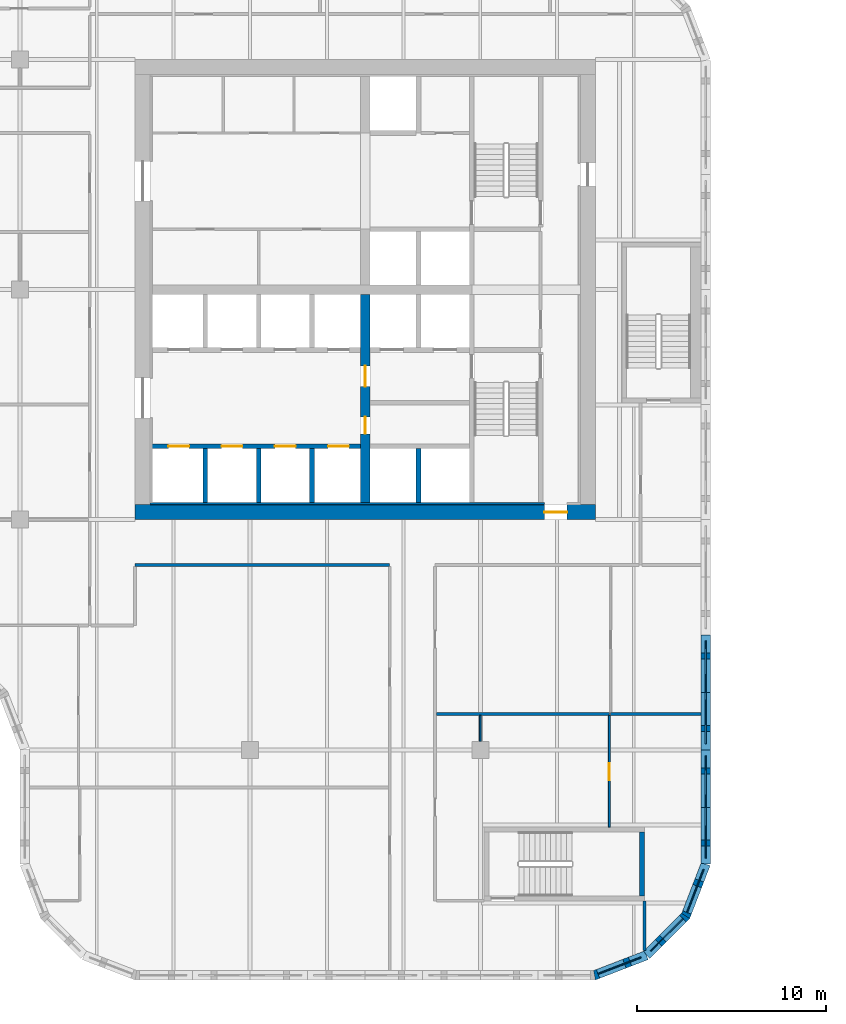
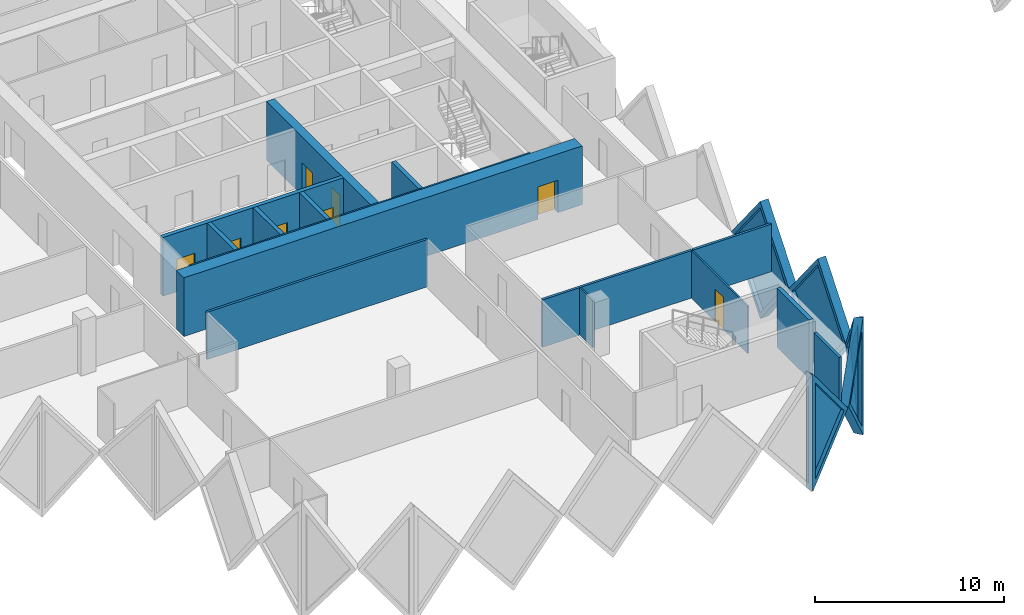
# One storey, part 6 of 19: 20 walls, 8 doors, 5 plates, 13 openings.
"""IFC4 building model written with IfcOpenShell, lengths in metres."""

from ifc_helpers import new_model, si_unit, direction, frame, frame_2d, origin, place, context, subcontext, project, spatial, polyline, rectangle, outline, extrude, faceted_brep, source, transform, mapped, material, layer, layer_set, type_object, element, fill, save


model = new_model("IFC4")

# Units and contexts
model_context = context("Model", 3, precision=1e-05, world=origin(), true_north=direction((0.0, 1.0)))
body_context = subcontext(model_context, "Body", "Model", "MODEL_VIEW")
ifc_project = project(units=[si_unit("LENGTHUNIT", "METRE"), si_unit("AREAUNIT", "SQUARE_METRE"), si_unit("VOLUMEUNIT", "CUBIC_METRE"), si_unit("PLANEANGLEUNIT", "RADIAN"), si_unit("MASSUNIT", "GRAM", prefix="KILO")], contexts=[model_context])

# Site, building, storey
site_placement = place(None, origin())
site = spatial("IfcSite", under=ifc_project, at=site_placement, CompositionType="ELEMENT")
building_placement = place(site_placement, origin())
building = spatial("IfcBuilding", under=site, at=building_placement, Name="Tessera Gate Towers", CompositionType="ELEMENT")
storey_placement = place(building_placement, frame((0.0, 0.0, 83.800048828125)))
storey = spatial("IfcBuildingStorey", under=building, at=storey_placement, Name="L20", CompositionType="ELEMENT", Elevation=83.800048828125)

# Wall, openings, doors
ifc_material_1 = material(Name="Concrete C40/50", Category="concrete")
ifc_layer_1 = layer(ifc_material_1, 0.25)
ifc_layer_set_1 = layer_set([ifc_layer_1], Name="CORE ENCLOSURE WALL 250")
wall_type_1 = type_object("IfcWallType", Name="CORE ENCLOSURE WALL 250", PredefinedType="SOLIDWALL", material=ifc_layer_set_1)
wall_1_placement = place(storey_placement, frame((31.39990234375, 28.300048828125, 0.0), z_axis=(0.0, 0.0, 1.0), x_axis=(1.0, 0.0, 0.0)))
wall_1 = element("IfcWall", 1, at=wall_1_placement, inside=storey, type_object=wall_type_1, Name="L20 shaft and stair enclosure wall", PredefinedType="SOLIDWALL", context=body_context, shape_type="SweptSolid", body=[
    extrude(rectangle(XDim=11.050048828125, YDim=0.25, at=frame_2d((5.52490234375, 0.0))), origin(), (0.0, 0.0, 1.0), 3.800048828125),
])
shared_shape_1 = source(origin(), body_context, "Body", "SweptSolid", [
    extrude(rectangle(XDim=1.10009765625, YDim=2.10009765625, at=frame_2d((0.550048828125, 1.050048828125))), frame((0.0, 0.135009765625, 0.0), z_axis=(0.0, -1.0, 0.0), x_axis=(1.0, 0.0, 0.0)), (0.0, 0.0, 1.0), 0.27001953125),
])
opening_1_placement = place(wall_1_placement, frame((0.862548828125, 0.0, 0.0)))
opening_1 = element("IfcOpeningElement", 2, at=opening_1_placement, cuts=wall_1, Name="Opening LD-LR1", PredefinedType="OPENING", context=body_context, shape_type="MappedRepresentation", body=[
    mapped(shared_shape_1, transform((0.0, 0.0, 0.0), scale=1.0)),
])
opening_2_placement = place(wall_1_placement, frame((3.6875, 0.0, 0.0)))
opening_2 = element("IfcOpeningElement", 3, at=opening_2_placement, cuts=wall_1, Name="Opening LD-LR2", PredefinedType="OPENING", context=body_context, shape_type="MappedRepresentation", body=[
    mapped(shared_shape_1, transform((0.0, 0.0, 0.0), scale=1.0)),
])
opening_3_placement = place(wall_1_placement, frame((6.512451171875, 0.0, 0.0)))
opening_3 = element("IfcOpeningElement", 4, at=opening_3_placement, cuts=wall_1, Name="Opening LD-LR3", PredefinedType="OPENING", context=body_context, shape_type="MappedRepresentation", body=[
    mapped(shared_shape_1, transform((0.0, 0.0, 0.0), scale=1.0)),
])
opening_4_placement = place(wall_1_placement, frame((9.33740234375, 0.0, 0.0)))
opening_4 = element("IfcOpeningElement", 5, at=opening_4_placement, cuts=wall_1, Name="Opening LD-LR4", PredefinedType="OPENING", context=body_context, shape_type="MappedRepresentation", body=[
    mapped(shared_shape_1, transform((0.0, 0.0, 0.0), scale=1.0)),
])
ifc_material_2 = material(Name="Stainless steel", Category="steel")
door_type_1 = type_object("IfcDoorType", Name="CORE DOOR LD 1100x2100", OperationType="DOUBLE_DOOR_SLIDING", PredefinedType="DOOR", material=ifc_material_2)
shared_shape_2 = source(origin(), body_context, "Body", "SweptSolid", [
    extrude(rectangle(XDim=1.10009765625, YDim=2.10009765625, at=frame_2d((0.550048828125, 1.050048828125))), frame((0.0, 0.02490234375, 0.0), z_axis=(0.0, -1.0, 0.0), x_axis=(1.0, 0.0, 0.0)), (0.0, 0.0, 1.0), 0.050048828125),
])
door_1_placement = place(opening_1_placement, origin())
door_1 = element("IfcDoor", 6, at=door_1_placement, inside=storey, type_object=door_type_1, Name="Landing door LR1 L20", OperationType="DOUBLE_DOOR_SLIDING", OverallHeight=2.10009765625, OverallWidth=1.10009765625, PredefinedType="DOOR", context=body_context, shape_type="MappedRepresentation", body=[
    mapped(shared_shape_2, transform((0.0, 0.0, 0.0), scale=1.0)),
])
fill(opening_1, door_1)
door_2_placement = place(opening_2_placement, origin())
door_2 = element("IfcDoor", 7, at=door_2_placement, inside=storey, type_object=door_type_1, Name="Landing door LR2 L20", OperationType="DOUBLE_DOOR_SLIDING", OverallHeight=2.10009765625, OverallWidth=1.10009765625, PredefinedType="DOOR", context=body_context, shape_type="MappedRepresentation", body=[
    mapped(shared_shape_2, transform((0.0, 0.0, 0.0), scale=1.0)),
])
fill(opening_2, door_2)
door_3_placement = place(opening_3_placement, origin())
door_3 = element("IfcDoor", 8, at=door_3_placement, inside=storey, type_object=door_type_1, Name="Landing door LR3 L20", OperationType="DOUBLE_DOOR_SLIDING", OverallHeight=2.10009765625, OverallWidth=1.10009765625, PredefinedType="DOOR", context=body_context, shape_type="MappedRepresentation", body=[
    mapped(shared_shape_2, transform((0.0, 0.0, 0.0), scale=1.0)),
])
fill(opening_3, door_3)
door_4_placement = place(opening_4_placement, origin())
door_4 = element("IfcDoor", 9, at=door_4_placement, inside=storey, type_object=door_type_1, Name="Landing door LR4 L20", OperationType="DOUBLE_DOOR_SLIDING", OverallHeight=2.10009765625, OverallWidth=1.10009765625, PredefinedType="DOOR", context=body_context, shape_type="MappedRepresentation", body=[
    mapped(shared_shape_2, transform((0.0, 0.0, 0.0), scale=1.0)),
])
fill(opening_4, door_4)

# Walls
for number, where, z_axis, x_axis, name in (
    (10, (34.22509765625, 25.300048828125, 0.0), (0.0, 0.0, 1.0), (0.0, 1.0, 0.0), "L20 shaft and stair enclosure wall"),
    (11, (37.050048828125, 25.300048828125, 0.0), (0.0, 0.0, 1.0), (0.0, 1.0, 0.0), "L20 shaft and stair enclosure wall"),
    (12, (39.875, 25.300048828125, 0.0), (0.0, 0.0, 1.0), (0.0, 1.0, 0.0), "L20 shaft and stair enclosure wall"),
    (13, (45.52490234375, 25.300048828125, 0.0), (0.0, 0.0, 1.0), (0.0, 1.0, 0.0), "L20 shaft and stair enclosure wall"),
):
    element("IfcWall", number, at=place(storey_placement, frame(where, z_axis=z_axis, x_axis=x_axis)), inside=storey, type_object=wall_type_1, Name=name, PredefinedType="SOLIDWALL", context=body_context, shape_type="SweptSolid", body=[
        extrude(rectangle(XDim=2.875, YDim=0.25, at=frame_2d((1.4375, 0.0))), origin(), (0.0, 0.0, 1.0), 3.800048828125),
    ])
wall_2_placement = place(storey_placement, frame((57.375, 7.85009765625, 0.0), z_axis=(0.0, 0.0, 1.0), x_axis=(0.0, -1.0, 0.0)))
element("IfcWall", 14, at=wall_2_placement, inside=storey, type_object=wall_type_1, Name="L20 ST4 enclosure wall", PredefinedType="SOLIDWALL", context=body_context, shape_type="SweptSolid", body=[
    extrude(rectangle(XDim=3.400146484375, YDim=0.25, at=frame_2d((1.7001953125, 0.0))), origin(), (0.0, 0.0, 1.0), 3.800048828125),
])

# Wall, opening, door
ifc_material_3 = material(Name="Concrete C60/75", Category="concrete")
ifc_layer_2 = layer(ifc_material_3, 0.800048828125)
ifc_layer_set_2 = layer_set([ifc_layer_2], Name="CORE SHEAR WALL 800 C60/75")
wall_type_2 = type_object("IfcWallType", Name="CORE SHEAR WALL 800 C60/75", PredefinedType="SHEAR", material=ifc_layer_set_2)
wall_3_placement = place(storey_placement, frame((54.89990234375, 24.800048828125, 0.0), z_axis=(0.0, 0.0, 1.0), x_axis=(-1.0, 0.0, 0.0)))
wall_3 = element("IfcWall", 15, at=wall_3_placement, inside=storey, type_object=wall_type_2, Name="Core wall S L20", PredefinedType="SHEAR", context=body_context, shape_type="SweptSolid", body=[
    extrude(rectangle(XDim=24.39990234375, YDim=0.800048828125, at=frame_2d((12.199951171875, 0.0))), origin(), (0.0, 0.0, 1.0), 3.800048828125),
])
shared_shape_3 = source(origin(), body_context, "Body", "SweptSolid", [
    extrude(rectangle(XDim=1.199951171875, YDim=2.10009765625, at=frame_2d((0.60009765625, 1.050048828125))), frame((0.0, 0.409912109375, 0.0), z_axis=(0.0, -1.0, 0.0), x_axis=(1.0, 0.0, 0.0)), (0.0, 0.0, 1.0), 0.820068359375),
])
opening_5_placement = place(wall_3_placement, frame((1.5, 0.0, 0.0)))
opening_5 = element("IfcOpeningElement", 16, at=opening_5_placement, cuts=wall_3, Name="Opening ED-T1-14-01", PredefinedType="OPENING", context=body_context, shape_type="MappedRepresentation", body=[
    mapped(shared_shape_3, transform((0.0, 0.0, 0.0), scale=1.0)),
])
ifc_material_4 = material(Name="Hollow steel fire door", Category="steel")
door_type_2 = type_object("IfcDoorType", Name="CORE DOOR ED 1200x2100", OperationType="NOTDEFINED", PredefinedType="DOOR", material=ifc_material_4)
shared_shape_4 = source(origin(), body_context, "Body", "SweptSolid", [
    extrude(rectangle(XDim=1.199951171875, YDim=2.10009765625, at=frame_2d((0.60009765625, 1.050048828125))), frame((0.0, 0.02490234375, 0.0), z_axis=(0.0, -1.0, 0.0), x_axis=(1.0, 0.0, 0.0)), (0.0, 0.0, 1.0), 0.050048828125),
])
door_5_placement = place(opening_5_placement, origin())
door_5 = element("IfcDoor", 17, at=door_5_placement, inside=storey, type_object=door_type_2, Name="Core exit door", OperationType="SINGLE_SWING_LEFT", OverallHeight=2.10009765625, OverallWidth=1.199951171875, PredefinedType="DOOR", context=body_context, shape_type="MappedRepresentation", body=[
    mapped(shared_shape_4, transform((0.0, 0.0, 0.0), scale=1.0)),
])
fill(opening_5, door_5)

# Wall, openings, doors
ifc_material_5 = material(Name="Concrete C60/75", Category="concrete")
ifc_layer_3 = layer(ifc_material_5, 0.5)
ifc_layer_set_3 = layer_set([ifc_layer_3], Name="CORE SPINE WALL 500 C60/75")
wall_type_3 = type_object("IfcWallType", Name="CORE SPINE WALL 500 C60/75", PredefinedType="SHEAR", material=ifc_layer_set_3)
wall_4_placement = place(storey_placement, frame((42.699951171875, 36.35009765625, 0.0), z_axis=(0.0, 0.0, 1.0), x_axis=(0.0, -1.0, 0.0)))
wall_4 = element("IfcWall", 18, at=wall_4_placement, inside=storey, type_object=wall_type_3, Name="Core wall spine L20", PredefinedType="SHEAR", context=body_context, shape_type="SweptSolid", body=[
    extrude(rectangle(XDim=11.050048828125, YDim=0.5, at=frame_2d((5.52490234375, 0.0))), origin(), (0.0, 0.0, 1.0), 3.800048828125),
])
shared_shape_5 = source(origin(), body_context, "Body", "SweptSolid", [
    extrude(rectangle(XDim=0.89990234375, YDim=2.10009765625, at=frame_2d((0.449951171875, 1.050048828125))), frame((0.0, 0.260009765625, 0.0), z_axis=(0.0, -1.0, 0.0), x_axis=(1.0, 0.0, 0.0)), (0.0, 0.0, 1.0), 0.52001953125),
])
opening_6_placement = place(wall_4_placement, frame((6.5, 0.0, 0.0)))
opening_6 = element("IfcOpeningElement", 19, at=opening_6_placement, cuts=wall_4, Name="Opening RD-T1-14-05", PredefinedType="OPENING", context=body_context, shape_type="MappedRepresentation", body=[
    mapped(shared_shape_5, transform((0.0, 0.0, 0.0), scale=1.0)),
])
shared_shape_6 = source(origin(), body_context, "Body", "SweptSolid", [
    extrude(rectangle(XDim=1.10009765625, YDim=2.10009765625, at=frame_2d((0.550048828125, 1.050048828125))), frame((0.0, 0.260009765625, 0.0), z_axis=(0.0, -1.0, 0.0), x_axis=(1.0, 0.0, 0.0)), (0.0, 0.0, 1.0), 0.52001953125),
])
opening_7_placement = place(wall_4_placement, frame((3.800048828125, 0.0, 0.0)))
opening_7 = element("IfcOpeningElement", 20, at=opening_7_placement, cuts=wall_4, Name="Opening FD-T1-14-06", PredefinedType="OPENING", context=body_context, shape_type="MappedRepresentation", body=[
    mapped(shared_shape_6, transform((0.0, 0.0, 0.0), scale=1.0)),
])
ifc_material_6 = material(Name="Hollow steel fire door", Category="steel")
door_type_3 = type_object("IfcDoorType", Name="CORE DOOR RD 900x2100", OperationType="NOTDEFINED", PredefinedType="DOOR", material=ifc_material_6)
shared_shape_7 = source(origin(), body_context, "Body", "SweptSolid", [
    extrude(rectangle(XDim=0.89990234375, YDim=2.10009765625, at=frame_2d((0.449951171875, 1.050048828125))), frame((0.0, 0.02490234375, 0.0), z_axis=(0.0, -1.0, 0.0), x_axis=(1.0, 0.0, 0.0)), (0.0, 0.0, 1.0), 0.050048828125),
])
door_6_placement = place(opening_6_placement, origin())
door_6 = element("IfcDoor", 21, at=door_6_placement, inside=storey, type_object=door_type_3, Name="Core room door", OperationType="SINGLE_SWING_RIGHT", OverallHeight=2.10009765625, OverallWidth=0.89990234375, PredefinedType="DOOR", context=body_context, shape_type="MappedRepresentation", body=[
    mapped(shared_shape_7, transform((0.0, 0.0, 0.0), scale=1.0)),
])
fill(opening_6, door_6)
ifc_material_7 = material(Name="Hollow steel fire door", Category="steel")
door_type_4 = type_object("IfcDoorType", Name="CORE DOOR FD 1100x2100", OperationType="NOTDEFINED", PredefinedType="DOOR", material=ifc_material_7)
door_7_placement = place(opening_7_placement, origin())
door_7 = element("IfcDoor", 22, at=door_7_placement, inside=storey, type_object=door_type_4, Name="Fire-fighting lobby door", OperationType="SINGLE_SWING_LEFT", OverallHeight=2.10009765625, OverallWidth=1.10009765625, PredefinedType="DOOR", context=body_context, shape_type="MappedRepresentation", body=[
    mapped(shared_shape_2, transform((0.0, 0.0, 0.0), scale=1.0)),
])
fill(opening_7, door_7)

# Walls
ifc_material_8 = material(Name="Concrete C60/75", Category="concrete")
ifc_layer_4 = layer(ifc_material_8, 0.10009765625)
ifc_layer_set_4 = layer_set([ifc_layer_4], Name="CORE WALL THICKENING 100")
wall_type_4 = type_object("IfcWallType", Name="CORE WALL THICKENING 100", PredefinedType="SOLIDWALL", material=ifc_layer_set_4)
wall_5_placement = place(storey_placement, frame((31.300048828125, 25.25, 0.0), z_axis=(0.0, 0.0, 1.0), x_axis=(1.0, 0.0, 0.0)))
element("IfcWall", 23, at=wall_5_placement, inside=storey, type_object=wall_type_4, Name="Core wall thickening S L20", PredefinedType="SOLIDWALL", context=body_context, shape_type="SweptSolid", body=[
    extrude(rectangle(XDim=20.89990234375, YDim=0.10009765625, at=frame_2d((10.449951171875, 0.0))), origin(), (0.0, 0.0, 1.0), 3.800048828125),
])
ifc_material_9 = material(Name="Gypsum board on steel studs, mineral wool", Category="steel")
ifc_layer_5 = layer(ifc_material_9, 0.14990234375)
ifc_layer_set_5 = layer_set([ifc_layer_5], Name="CORRIDOR WALL 150")
wall_type_5 = type_object("IfcWallType", Name="CORRIDOR WALL 150", PredefinedType="PARTITIONING", material=ifc_layer_set_5)
wall_6_placement = place(storey_placement, frame((57.5, 1.55908203125, 0.0), z_axis=(0.0, 0.0, 1.0), x_axis=(0.0, 1.0, 0.0)))
element("IfcWall", 24, at=wall_6_placement, inside=storey, type_object=wall_type_5, Name="T1-L20-PW-002", PredefinedType="PARTITIONING", context=body_context, shape_type="SweptSolid", body=[
    extrude(rectangle(XDim=2.640869140625, YDim=0.14990234375, at=frame_2d((1.3203125, 0.0))), origin(), (0.0, 0.0, 1.0), 3.06689453125),
])
wall_7_placement = place(storey_placement, frame((30.5, 22.0, 0.0), z_axis=(0.0, 0.0, 1.0), x_axis=(1.0, 0.0, 0.0)))
element("IfcWall", 25, at=wall_7_placement, inside=storey, type_object=wall_type_5, Name="T1-L20-PW-022", PredefinedType="PARTITIONING", context=body_context, shape_type="SweptSolid", body=[
    extrude(rectangle(XDim=13.5, YDim=0.14990234375, at=frame_2d((6.75, 0.0))), origin(), (0.0, 0.0, 1.0), 3.06689453125),
])

# Wall, opening, door
ifc_material_10 = material(Name="Glass", Category="glass")
ifc_layer_6 = layer(ifc_material_10, 0.10009765625)
ifc_layer_set_6 = layer_set([ifc_layer_6], Name="GLAZED PARTITION 100")
wall_type_6 = type_object("IfcWallType", Name="GLAZED PARTITION 100", PredefinedType="PARTITIONING", material=ifc_layer_set_6)
wall_8_placement = place(storey_placement, frame((55.639892578125, 14.02392578125, 0.0), z_axis=(0.0, 0.0, 1.0), x_axis=(0.0, -1.0, 0.0)))
wall_8 = element("IfcWall", 26, at=wall_8_placement, inside=storey, type_object=wall_type_6, Name="T1-L20-PW-007", PredefinedType="PARTITIONING", context=body_context, shape_type="SweptSolid", body=[
    extrude(rectangle(XDim=5.923828125, YDim=0.10009765625, at=frame_2d((2.9619140625, 0.0))), origin(), (0.0, 0.0, 1.0), 3.06689453125),
])
shared_shape_8 = source(origin(), body_context, "Body", "SweptSolid", [
    extrude(rectangle(XDim=0.89990234375, YDim=2.10009765625, at=frame_2d((0.449951171875, 1.050048828125))), frame((0.0, 0.06005859375, 0.0), z_axis=(0.0, -1.0, 0.0), x_axis=(1.0, 0.0, 0.0)), (0.0, 0.0, 1.0), 0.1201171875),
])
opening_8_placement = place(wall_8_placement, frame((2.52392578125, 0.0, 0.0)))
opening_8 = element("IfcOpeningElement", 27, at=opening_8_placement, cuts=wall_8, Name="Opening D690-A07-03", PredefinedType="OPENING", context=body_context, shape_type="MappedRepresentation", body=[
    mapped(shared_shape_8, transform((0.0, 0.0, 0.0), scale=1.0)),
])
ifc_material_11 = material(Name="Glass in aluminium frame", Category="aluminium")
door_type_5 = type_object("IfcDoorType", Name="GLAZED DOOR 900 NOT RATED", OperationType="NOTDEFINED", PredefinedType="DOOR", material=ifc_material_11)
door_8_placement = place(opening_8_placement, origin())
door_8 = element("IfcDoor", 28, at=door_8_placement, inside=storey, type_object=door_type_5, Name="T1-L20-PD-007", OperationType="SINGLE_SWING_RIGHT", OverallHeight=2.10009765625, OverallWidth=0.89990234375, PredefinedType="DOOR", context=body_context, shape_type="MappedRepresentation", body=[
    mapped(shared_shape_7, transform((0.0, 0.0, 0.0), scale=1.0)),
])
fill(opening_8, door_8)

# Walls
ifc_material_12 = material(Name="Gypsum board on steel studs", Category="steel")
ifc_layer_7 = layer(ifc_material_12, 0.10009765625)
ifc_layer_set_7 = layer_set([ifc_layer_7], Name="PARTITION 100")
wall_type_7 = type_object("IfcWallType", Name="PARTITION 100", PredefinedType="PARTITIONING", material=ifc_layer_set_7)
wall_9_placement = place(storey_placement, frame((48.800048828125, 12.64990234375, 0.0), z_axis=(0.0, 0.0, 1.0), x_axis=(0.0, 1.0, 0.0)))
element("IfcWall", 29, at=wall_9_placement, inside=storey, type_object=wall_type_7, Name="T1-L20-PW-011", PredefinedType="PARTITIONING", context=body_context, shape_type="SweptSolid", body=[
    extrude(rectangle(XDim=1.375, YDim=0.10009765625, at=frame_2d((0.6875, 0.0))), origin(), (0.0, 0.0, 1.0), 3.06689453125),
])
ifc_material_13 = material(Name="Gypsum board on steel studs, mineral wool", Category="steel")
ifc_layer_8 = layer(ifc_material_13, 0.14990234375)
ifc_layer_set_8 = layer_set([ifc_layer_8], Name="TENANCY WALL 150")
wall_type_8 = type_object("IfcWallType", Name="TENANCY WALL 150", PredefinedType="PARTITIONING", material=ifc_layer_set_8)
wall_10_placement = place(storey_placement, frame((46.47607421875, 14.10009765625, 0.0), z_axis=(0.0, 0.0, 1.0), x_axis=(1.0, 0.0, 0.0)))
element("IfcWall", 30, at=wall_10_placement, inside=storey, type_object=wall_type_8, Name="T1-L20-PW-012", PredefinedType="PARTITIONING", context=body_context, shape_type="SweptSolid", body=[
    extrude(rectangle(XDim=9.163818359375, YDim=0.14990234375, at=frame_2d((4.58203125, 0.0))), origin(), (0.0, 0.0, 1.0), 3.06689453125),
])
wall_11_placement = place(storey_placement, frame((55.715087890625, 14.10009765625, 0.0), z_axis=(0.0, 0.0, 1.0), x_axis=(1.0, 0.0, 0.0)))
element("IfcWall", 31, at=wall_11_placement, inside=storey, type_object=wall_type_8, Name="T1-L20-PW-013", PredefinedType="PARTITIONING", context=body_context, shape_type="SweptSolid", body=[
    extrude(rectangle(XDim=4.784912109375, YDim=0.14990234375, at=frame_2d((2.392578125, 0.0))), origin(), (0.0, 0.0, 1.0), 3.06689453125),
])

# Wall, opening, plate
ifc_material_14 = material(Name="Precast concrete C60/75 white", Category="concrete")
ifc_layer_9 = layer(ifc_material_14, 0.5)
ifc_layer_set_9 = layer_set([ifc_layer_9], Name="TS1 tessera")
wall_type_9 = type_object("IfcWallType", Name="TS1 tessera", PredefinedType="SOLIDWALL", material=ifc_layer_set_9)
shared_shape_9 = source(origin(), body_context, "Body", "Brep", [
    faceted_brep([(3.00341796875, -0.25, 0.0), (6.053466796875, -0.25, 3.800048828125), (3.00341796875, -0.25, 7.60009765625), (0.0, -0.25, 3.800048828125), (0.046630859375, 0.25, 3.85888671875), (3.00341796875, 0.25, 7.60009765625), (6.053466796875, 0.25, 3.800048828125), (3.00341796875, 0.25, 0.0), (0.046630859375, 0.25, 3.7412109375), (0.0, 0.0, 3.800048828125)], [[[0, 1, 2, 3]], [[4, 5, 6, 7, 8]], [[7, 6, 1, 0]], [[6, 5, 2, 1]], [[5, 4, 9, 3, 2]], [[8, 7, 0, 3, 9]], [[8, 9, 4]]]),
])
wall_12_placement = place(storey_placement, frame((60.75, 6.146484375, -3.800048828125), z_axis=(0.0, 0.0, 1.0), x_axis=(0.0, 1.0, 0.0)))
wall_12 = element("IfcWall", 32, at=wall_12_placement, inside=storey, type_object=wall_type_9, Name="Precast tessera T1 TS1-0302", PredefinedType="SOLIDWALL", context=body_context, shape_type="MappedRepresentation", body=[
    mapped(shared_shape_9, transform((0.0, 0.0, 0.0), scale=1.0)),
])
shared_shape_10 = source(origin(), body_context, "Body", "SweptSolid", [
    extrude(outline(polyline([(3.0048828125, 0.4013671875), (5.73291015625, 3.800048828125), (3.0048828125, 7.19873046875), (0.318603515625, 3.800048828125), (3.0048828125, 0.4013671875)])), frame((0.0, 0.260009765625, 0.0), z_axis=(0.0, -1.0, 0.0), x_axis=(1.0, 0.0, 0.0)), (0.0, 0.0, 1.0), 0.52001953125),
])
opening_9_placement = place(wall_12_placement, origin())
opening_9 = element("IfcOpeningElement", 33, at=opening_9_placement, cuts=wall_12, Name="Opening T1-PL2-0620", PredefinedType="OPENING", context=body_context, shape_type="MappedRepresentation", body=[
    mapped(shared_shape_10, transform((0.0, 0.0, 0.0), scale=1.0)),
])
ifc_material_15 = material(Name="Low-e laminated glass", Category="glass")
ifc_layer_10 = layer(ifc_material_15, 0.06005859375)
ifc_layer_set_10 = layer_set([ifc_layer_10], Name="PL2 rhombic pane")
plate_type = type_object("IfcPlateType", Name="PL2 rhombic pane", PredefinedType="SHEET", material=ifc_layer_set_10)
shared_shape_11 = source(origin(), body_context, "Body", "SweptSolid", [
    extrude(outline(polyline([(3.0048828125, 0.4013671875), (5.73291015625, 3.800048828125), (3.0048828125, 7.19873046875), (0.318603515625, 3.800048828125), (3.0048828125, 0.4013671875)])), frame((0.0, 0.030029296875, 0.0), z_axis=(0.0, -1.0, 0.0), x_axis=(1.0, 0.0, 0.0)), (0.0, 0.0, 1.0), 0.06005859375),
])
plate_1_placement = place(opening_9_placement, origin())
plate_1 = element("IfcPlate", 34, at=plate_1_placement, inside=storey, type_object=plate_type, Name="Glass pane T1 PL2-0620", PredefinedType="SHEET", context=body_context, shape_type="MappedRepresentation", body=[
    mapped(shared_shape_11, transform((0.0, 0.0, 0.0), scale=1.0)),
])
fill(opening_9, plate_1)

shared_shape_12 = source(origin(), body_context, "Body", "SweptSolid", [
    extrude(outline(polyline([(3.050048828125, 0.0), (6.10009765625, 3.800048828125), (3.050048828125, 7.60009765625), (0.0, 3.800048828125), (3.050048828125, 0.0)])), frame((0.0, 0.25, 0.0), z_axis=(0.0, -1.0, 0.0), x_axis=(1.0, 0.0, 0.0)), (0.0, 0.0, 1.0), 0.5),
])
wall_13_placement = place(storey_placement, frame((60.75, 12.199951171875, -3.800048828125), z_axis=(0.0, 0.0, 1.0), x_axis=(0.0, 1.0, 0.0)))
wall_13 = element("IfcWall", 35, at=wall_13_placement, inside=storey, type_object=wall_type_9, Name="Precast tessera T1 TS1-0303", PredefinedType="SOLIDWALL", context=body_context, shape_type="MappedRepresentation", body=[
    mapped(shared_shape_12, transform((0.0, 0.0, 0.0), scale=1.0)),
])
shared_shape_13 = source(origin(), body_context, "Body", "SweptSolid", [
    extrude(outline(polyline([(3.050048828125, 0.3994140625), (5.779541015625, 3.800048828125), (3.050048828125, 7.20068359375), (0.320556640625, 3.800048828125), (3.050048828125, 0.3994140625)])), frame((0.0, 0.260009765625, 0.0), z_axis=(0.0, -1.0, 0.0), x_axis=(1.0, 0.0, 0.0)), (0.0, 0.0, 1.0), 0.52001953125),
])
opening_10_placement = place(wall_13_placement, origin())
opening_10 = element("IfcOpeningElement", 36, at=opening_10_placement, cuts=wall_13, Name="Opening T1-PL2-0621", PredefinedType="OPENING", context=body_context, shape_type="MappedRepresentation", body=[
    mapped(shared_shape_13, transform((0.0, 0.0, 0.0), scale=1.0)),
])
shared_shape_14 = source(origin(), body_context, "Body", "SweptSolid", [
    extrude(outline(polyline([(3.050048828125, 0.3994140625), (5.779541015625, 3.800048828125), (3.050048828125, 7.20068359375), (0.320556640625, 3.800048828125), (3.050048828125, 0.3994140625)])), frame((0.0, 0.030029296875, 0.0), z_axis=(0.0, -1.0, 0.0), x_axis=(1.0, 0.0, 0.0)), (0.0, 0.0, 1.0), 0.06005859375),
])
plate_2_placement = place(opening_10_placement, origin())
plate_2 = element("IfcPlate", 37, at=plate_2_placement, inside=storey, type_object=plate_type, Name="Glass pane T1 PL2-0621", PredefinedType="SHEET", context=body_context, shape_type="MappedRepresentation", body=[
    mapped(shared_shape_14, transform((0.0, 0.0, 0.0), scale=1.0)),
])
fill(opening_10, plate_2)

ifc_material_16 = material(Name="Precast concrete C60/75 white", Category="concrete")
ifc_layer_11 = layer(ifc_material_16, 0.5)
ifc_layer_set_11 = layer_set([ifc_layer_11], Name="TS3 corner tessera")
wall_type_10 = type_object("IfcWallType", Name="TS3 corner tessera", PredefinedType="SOLIDWALL", material=ifc_layer_set_11)
shared_shape_15 = source(origin(), body_context, "Body", "Brep", [
    faceted_brep([(0.046630859375, -0.25, 0.0), (2.9970703125, -0.25, 3.800048828125), (0.046630859375, -0.25, 7.60009765625), (0.0, -0.25, 7.541259765625), (0.0, -0.25, 0.058837890625), (0.09326171875, 0.25, 7.5400390625), (2.9443359375, 0.25, 3.8681640625), (2.9443359375, 0.25, 3.73193359375), (0.09326171875, 0.25, 0.06005859375), (2.9970703125, 0.00048828125, 3.800048828125), (0.046630859375, 0.0, 0.0), (0.046630859375, 0.0, 7.60009765625)], [[[0, 1, 2, 3, 4]], [[5, 6, 7, 8]], [[8, 7, 9, 1, 0, 10]], [[6, 5, 11, 2, 1, 9]], [[3, 2, 11]], [[10, 0, 4]], [[8, 10, 4, 3, 11, 5]], [[9, 7, 6]]]),
])
wall_14_placement = place(storey_placement, frame((54.81005859375, 0.233154296875, -3.800048828125), z_axis=(0.0, 0.0, 1.0), x_axis=(0.932990326376, 0.359901446078, 0.0)))
wall_14 = element("IfcWall", 38, at=wall_14_placement, inside=storey, type_object=wall_type_10, Name="Precast corner tessera T1 TS3-0436", PredefinedType="SOLIDWALL", context=body_context, shape_type="MappedRepresentation", body=[
    mapped(shared_shape_15, transform((0.0, 0.0, 0.0), scale=1.0)),
])
shared_shape_16 = source(origin(), body_context, "Body", "SweptSolid", [
    extrude(outline(polyline([(0.24658203125, 0.665283203125), (2.6806640625, 3.800048828125), (0.24658203125, 6.934814453125), (0.24658203125, 0.665283203125)])), frame((0.0, 0.260009765625, 0.0), z_axis=(0.0, -1.0, 0.0), x_axis=(1.0, 0.0, 0.0)), (0.0, 0.0, 1.0), 0.52001953125),
])
opening_11_placement = place(wall_14_placement, origin())
opening_11 = element("IfcOpeningElement", 39, at=opening_11_placement, cuts=wall_14, Name="Opening T1-PL2-0617", PredefinedType="OPENING", context=body_context, shape_type="MappedRepresentation", body=[
    mapped(shared_shape_16, transform((0.0, 0.0, 0.0), scale=1.0)),
])
shared_shape_17 = source(origin(), body_context, "Body", "SweptSolid", [
    extrude(outline(polyline([(0.24658203125, 0.665283203125), (2.6806640625, 3.800048828125), (0.24658203125, 6.934814453125), (0.24658203125, 0.665283203125)])), frame((0.0, 0.030029296875, 0.0), z_axis=(0.0, -1.0, 0.0), x_axis=(1.0, 0.0, 0.0)), (0.0, 0.0, 1.0), 0.06005859375),
])
plate_3_placement = place(opening_11_placement, origin())
plate_3 = element("IfcPlate", 40, at=plate_3_placement, inside=storey, type_object=plate_type, Name="Glass pane T1 PL2-0617", PredefinedType="SHEET", context=body_context, shape_type="MappedRepresentation", body=[
    mapped(shared_shape_17, transform((0.0, 0.0, 0.0), scale=1.0)),
])
fill(opening_11, plate_3)

shared_shape_18 = source(origin(), body_context, "Body", "Brep", [
    faceted_brep([(2.944091796875, -0.25, 0.0), (2.9970703125, -0.25, 0.068115234375), (2.9970703125, -0.25, 7.531982421875), (2.944091796875, -0.25, 7.60009765625), (0.0, -0.25, 3.800048828125), (0.052978515625, 0.25, 3.868408203125), (2.89111328125, 0.25, 7.531982421875), (2.89111328125, 0.25, 0.068115234375), (0.052978515625, 0.25, 3.731689453125), (2.944091796875, 0.000244140625, 0.0), (2.944091796875, 0.000244140625, 7.60009765625), (0.0, 0.0, 3.800048828125)], [[[0, 1, 2, 3, 4]], [[5, 6, 7, 8]], [[1, 0, 9]], [[10, 3, 2]], [[6, 5, 11, 4, 3, 10]], [[8, 7, 9, 0, 4, 11]], [[8, 11, 5]], [[1, 9, 7, 6, 10, 2]]]),
])
wall_15_placement = place(storey_placement, frame((57.606201171875, 1.31201171875, -3.800048828125), z_axis=(0.0, 0.0, 1.0), x_axis=(0.707147509625, 0.707066050402, 0.0)))
wall_15 = element("IfcWall", 41, at=wall_15_placement, inside=storey, type_object=wall_type_10, Name="Precast corner tessera T1 TS3-0437", PredefinedType="SOLIDWALL", context=body_context, shape_type="MappedRepresentation", body=[
    mapped(shared_shape_18, transform((0.0, 0.0, 0.0), scale=1.0)),
])
shared_shape_19 = source(origin(), body_context, "Body", "SweptSolid", [
    extrude(outline(polyline([(2.744140625, 6.93359375), (0.316162109375, 3.800048828125), (2.744140625, 0.666259765625), (2.744140625, 6.93359375)])), frame((0.0, 0.260009765625, 0.0), z_axis=(0.0, -1.0, 0.0), x_axis=(1.0, 0.0, 0.0)), (0.0, 0.0, 1.0), 0.52001953125),
])
opening_12_placement = place(wall_15_placement, origin())
opening_12 = element("IfcOpeningElement", 42, at=opening_12_placement, cuts=wall_15, Name="Opening T1-PL2-0618", PredefinedType="OPENING", context=body_context, shape_type="MappedRepresentation", body=[
    mapped(shared_shape_19, transform((0.0, 0.0, 0.0), scale=1.0)),
])
shared_shape_20 = source(origin(), body_context, "Body", "SweptSolid", [
    extrude(outline(polyline([(2.744140625, 6.93359375), (0.316162109375, 3.800048828125), (2.744140625, 0.666259765625), (2.744140625, 6.93359375)])), frame((0.0, 0.030029296875, 0.0), z_axis=(0.0, -1.0, 0.0), x_axis=(1.0, 0.0, 0.0)), (0.0, 0.0, 1.0), 0.06005859375),
])
plate_4_placement = place(opening_12_placement, origin())
plate_4 = element("IfcPlate", 43, at=plate_4_placement, inside=storey, type_object=plate_type, Name="Glass pane T1 PL2-0618", PredefinedType="SHEET", context=body_context, shape_type="MappedRepresentation", body=[
    mapped(shared_shape_20, transform((0.0, 0.0, 0.0), scale=1.0)),
])
fill(opening_12, plate_4)

shared_shape_21 = source(origin(), body_context, "Body", "Brep", [
    faceted_brep([(0.052978515625, -0.25, 0.0), (3.00341796875, -0.25, 3.800048828125), (0.052978515625, -0.25, 7.60009765625), (0.0, -0.25, 7.53173828125), (0.0, -0.25, 0.068359375), (0.10595703125, 0.25, 7.531982421875), (2.95703125, 0.25, 3.85986328125), (2.95703125, 0.25, 3.740234375), (0.10595703125, 0.25, 0.068115234375), (3.00341796875, 0.00048828125, 3.800048828125), (0.052978515625, 0.0, 0.0), (0.052978515625, 0.0, 7.60009765625)], [[[0, 1, 2, 3, 4]], [[5, 6, 7, 8]], [[8, 7, 9, 1, 0, 10]], [[6, 5, 11, 2, 1, 9]], [[3, 2, 11]], [[10, 0, 4]], [[8, 10, 4, 3, 11, 5]], [[9, 7, 6]]]),
])
wall_16_placement = place(storey_placement, frame((59.6689453125, 3.34423828125, -3.800048828125), z_axis=(0.0, 0.0, 1.0), x_axis=(0.35992665181, 0.932980602862, 0.0)))
wall_16 = element("IfcWall", 44, at=wall_16_placement, inside=storey, type_object=wall_type_10, Name="Precast corner tessera T1 TS3-0438", PredefinedType="SOLIDWALL", context=body_context, shape_type="MappedRepresentation", body=[
    mapped(shared_shape_21, transform((0.0, 0.0, 0.0), scale=1.0)),
])
shared_shape_22 = source(origin(), body_context, "Body", "SweptSolid", [
    extrude(outline(polyline([(0.2529296875, 0.665283203125), (2.68701171875, 3.800048828125), (0.2529296875, 6.934814453125), (0.2529296875, 0.665283203125)])), frame((0.0, 0.260009765625, 0.0), z_axis=(0.0, -1.0, 0.0), x_axis=(1.0, 0.0, 0.0)), (0.0, 0.0, 1.0), 0.52001953125),
])
opening_13_placement = place(wall_16_placement, origin())
opening_13 = element("IfcOpeningElement", 45, at=opening_13_placement, cuts=wall_16, Name="Opening T1-PL2-0619", PredefinedType="OPENING", context=body_context, shape_type="MappedRepresentation", body=[
    mapped(shared_shape_22, transform((0.0, 0.0, 0.0), scale=1.0)),
])
shared_shape_23 = source(origin(), body_context, "Body", "SweptSolid", [
    extrude(outline(polyline([(0.2529296875, 0.665283203125), (2.68701171875, 3.800048828125), (0.2529296875, 6.934814453125), (0.2529296875, 0.665283203125)])), frame((0.0, 0.030029296875, 0.0), z_axis=(0.0, -1.0, 0.0), x_axis=(1.0, 0.0, 0.0)), (0.0, 0.0, 1.0), 0.06005859375),
])
plate_5_placement = place(opening_13_placement, origin())
plate_5 = element("IfcPlate", 46, at=plate_5_placement, inside=storey, type_object=plate_type, Name="Glass pane T1 PL2-0619", PredefinedType="SHEET", context=body_context, shape_type="MappedRepresentation", body=[
    mapped(shared_shape_23, transform((0.0, 0.0, 0.0), scale=1.0)),
])
fill(opening_13, plate_5)

save(model, "model.ifc")
